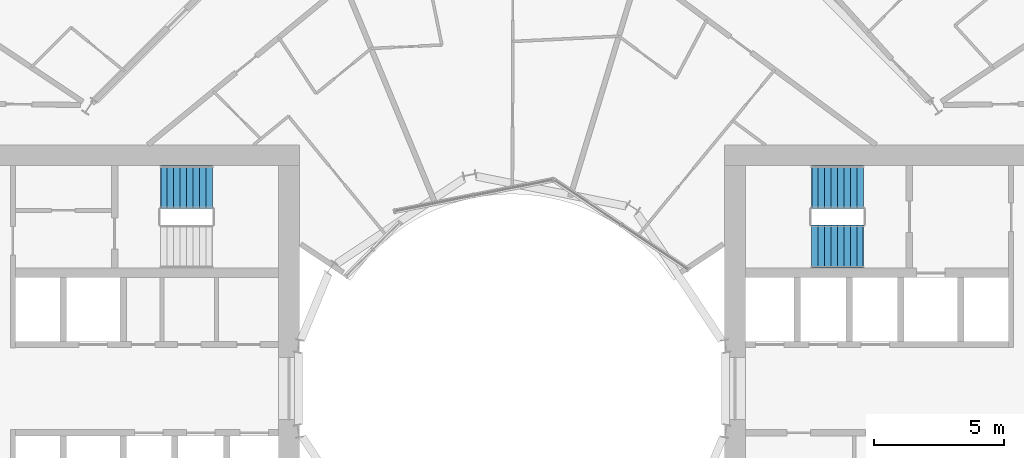
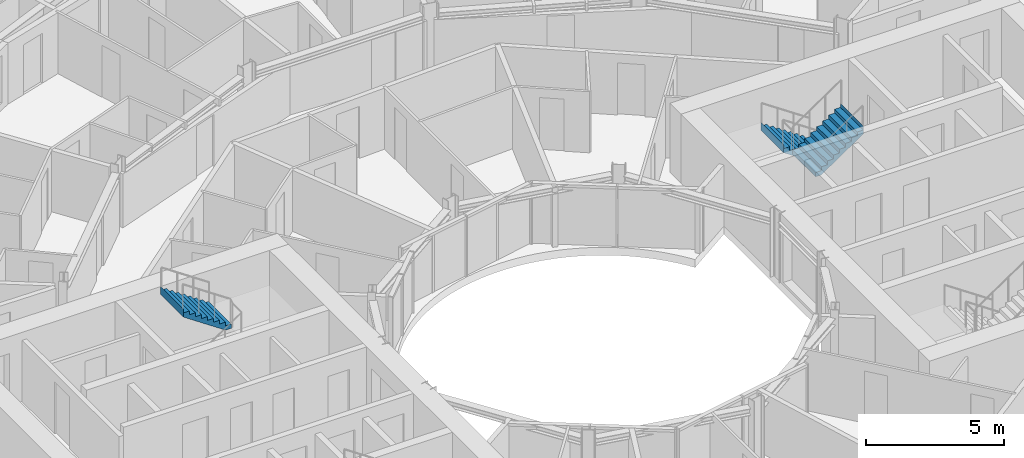
# One storey, part 24 of 26: 3 stair flights, 2 elements without a shape of their own.
"""IFC4 building model written with IfcOpenShell, lengths in metres."""

from ifc_helpers import new_model, si_unit, direction, frame, origin, place, context, subcontext, project, spatial, triangles, material, type_object, element, aggregate, save


model = new_model("IFC4")

# Units and contexts
model_context = context("Model", 3, precision=1e-05, world=origin(), true_north=direction((0.0, 1.0)))
body_context = subcontext(model_context, "Body", "Model", "MODEL_VIEW")
ifc_project = project(units=[si_unit("LENGTHUNIT", "METRE"), si_unit("AREAUNIT", "SQUARE_METRE"), si_unit("VOLUMEUNIT", "CUBIC_METRE"), si_unit("PLANEANGLEUNIT", "RADIAN"), si_unit("MASSUNIT", "GRAM", prefix="KILO")], contexts=[model_context])

# Site, building, storey
site_placement = place(None, origin())
site = spatial("IfcSite", under=ifc_project, at=site_placement, CompositionType="ELEMENT")
building_placement = place(site_placement, origin())
building = spatial("IfcBuilding", under=site, at=building_placement, Name="Maasbend Ring Residences", CompositionType="ELEMENT")
storey_placement = place(building_placement, frame((0.0, 0.0, 44.14990234375)))
storey = spatial("IfcBuildingStorey", under=building, at=storey_placement, Name="L12", CompositionType="ELEMENT", Elevation=44.14990234375)

# Stair, stair flights
ifc_material_1 = material(Name="Concrete C40/50", Category="concrete")
stair_type = type_object("IfcStairType", Name="CORE STAIR 18 RISERS", PredefinedType="HALF_TURN_STAIR", material=ifc_material_1)
stair_1_placement = place(storey_placement, origin())
stair_1 = element("IfcStair", 1, at=stair_1_placement, inside=storey, type_object=stair_type, Name="L12 Exit stair ST-E1", PredefinedType="HALF_TURN_STAIR")
ifc_material_2 = material(Name="Concrete C40/50", Category="concrete")
stair_flight_type = type_object("IfcStairFlightType", Name="CORE STAIR FLIGHT 1650", PredefinedType="STRAIGHT", material=ifc_material_2)
stair_flight_1_placement = place(storey_placement, frame((13.550048828125, 7.77490234375, 0.0), z_axis=(0.0, 0.0, 1.0), x_axis=(-1.0, 0.0, 0.0)))
stair_flight_1 = element("IfcStairFlight", 2, at=stair_flight_1_placement, type_object=stair_flight_type, Name="ST-E1 flight 1", NumberOfRisers=9, NumberOfTreads=8, PredefinedType="STRAIGHT", RiserHeight=0.169444444, TreadLength=0.25, context=body_context, shape_type="Tessellation", body=[
    triangles([(0.24072265625, 0.824951171875, -0.02001953125), (2.0029296875, 0.824951171875, 1.174560546875), (2.0029296875, 0.824951171875, 1.52490234375), (1.989990234375, 0.824951171875, 1.35546875), (1.75, 0.824951171875, 1.35546875), (1.75, 0.824951171875, 1.18603515625), (1.5, 0.824951171875, 1.18603515625), (1.5, 0.824951171875, 1.0166015625), (1.25, 0.824951171875, 1.0166015625), (1.25, 0.824951171875, 0.84716796875), (1.0, 0.824951171875, 0.84716796875), (1.0, 0.824951171875, 0.677734375), (0.75, 0.824951171875, 0.677734375), (0.75, 0.824951171875, 0.50830078125), (0.5, 0.824951171875, 0.50830078125), (0.5, 0.824951171875, 0.3388671875), (0.25, 0.824951171875, 0.3388671875), (0.25, 0.824951171875, 0.16943359375), (0.0, 0.824951171875, 0.16943359375), (0.0, 0.824951171875, 0.0), (-0.0029296875, 0.824951171875, 0.0), (-0.0029296875, 0.824951171875, -0.02001953125), (0.24072265625, 0.27490234375, -0.02001953125), (2.0029296875, 0.27490234375, 1.174560546875), (2.0029296875, 0.27490234375, 1.52490234375), (1.989990234375, 0.27490234375, 1.35546875), (1.75, 0.27490234375, 1.35546875), (1.75, 0.27490234375, 1.18603515625), (1.5, 0.27490234375, 1.18603515625), (1.5, 0.27490234375, 1.0166015625), (1.25, 0.27490234375, 1.0166015625), (1.25, 0.27490234375, 0.84716796875), (1.0, 0.27490234375, 0.84716796875), (1.0, 0.27490234375, 0.677734375), (0.75, 0.27490234375, 0.677734375), (0.75, 0.27490234375, 0.50830078125), (0.5, 0.27490234375, 0.50830078125), (0.5, 0.27490234375, 0.3388671875), (0.25, 0.27490234375, 0.3388671875), (0.25, 0.27490234375, 0.16943359375), (0.0, 0.27490234375, 0.16943359375), (0.0, 0.27490234375, 0.0), (-0.0029296875, 0.27490234375, 0.0), (-0.0029296875, 0.27490234375, -0.02001953125), (0.24072265625, -0.27490234375, -0.02001953125), (2.0029296875, -0.27490234375, 1.174560546875), (2.0029296875, -0.27490234375, 1.52490234375), (1.989990234375, -0.27490234375, 1.35546875), (1.75, -0.27490234375, 1.35546875), (1.75, -0.27490234375, 1.18603515625), (1.5, -0.27490234375, 1.18603515625), (1.5, -0.27490234375, 1.0166015625), (1.25, -0.27490234375, 1.0166015625), (1.25, -0.27490234375, 0.84716796875), (1.0, -0.27490234375, 0.84716796875), (1.0, -0.27490234375, 0.677734375), (0.75, -0.27490234375, 0.677734375), (0.75, -0.27490234375, 0.50830078125), (0.5, -0.27490234375, 0.50830078125), (0.5, -0.27490234375, 0.3388671875), (0.25, -0.27490234375, 0.3388671875), (0.25, -0.27490234375, 0.16943359375), (0.0, -0.27490234375, 0.16943359375), (0.0, -0.27490234375, 0.0), (-0.0029296875, -0.27490234375, 0.0), (-0.0029296875, -0.27490234375, -0.02001953125), (0.24072265625, -0.824951171875, -0.02001953125), (2.0029296875, -0.824951171875, 1.174560546875), (2.0029296875, -0.824951171875, 1.52490234375), (1.989990234375, -0.824951171875, 1.35546875), (1.75, -0.824951171875, 1.35546875), (1.75, -0.824951171875, 1.18603515625), (1.5, -0.824951171875, 1.18603515625), (1.5, -0.824951171875, 1.0166015625), (1.25, -0.824951171875, 1.0166015625), (1.25, -0.824951171875, 0.84716796875), (1.0, -0.824951171875, 0.84716796875), (1.0, -0.824951171875, 0.677734375), (0.75, -0.824951171875, 0.677734375), (0.75, -0.824951171875, 0.50830078125), (0.5, -0.824951171875, 0.50830078125), (0.5, -0.824951171875, 0.3388671875), (0.25, -0.824951171875, 0.3388671875), (0.25, -0.824951171875, 0.16943359375), (0.0, -0.824951171875, 0.16943359375), (0.0, -0.824951171875, 0.0), (-0.0029296875, -0.824951171875, 0.0), (-0.0029296875, -0.824951171875, -0.02001953125)], [[1, 2, 24], [1, 24, 23], [23, 24, 46], [23, 46, 45], [45, 46, 68], [45, 68, 67], [2, 3, 25], [2, 25, 24], [24, 25, 47], [24, 47, 46], [46, 47, 69], [46, 69, 68], [3, 4, 26], [3, 26, 25], [25, 26, 48], [25, 48, 47], [47, 48, 70], [47, 70, 69], [4, 5, 27], [4, 27, 26], [26, 27, 49], [26, 49, 48], [48, 49, 71], [48, 71, 70], [5, 6, 28], [5, 28, 27], [27, 28, 50], [27, 50, 49], [49, 50, 72], [49, 72, 71], [6, 7, 29], [6, 29, 28], [28, 29, 51], [28, 51, 50], [50, 51, 73], [50, 73, 72], [7, 8, 30], [7, 30, 29], [29, 30, 52], [29, 52, 51], [51, 52, 74], [51, 74, 73], [8, 9, 31], [8, 31, 30], [30, 31, 53], [30, 53, 52], [52, 53, 75], [52, 75, 74], [9, 10, 32], [9, 32, 31], [31, 32, 54], [31, 54, 53], [53, 54, 76], [53, 76, 75], [10, 11, 33], [10, 33, 32], [32, 33, 55], [32, 55, 54], [54, 55, 77], [54, 77, 76], [11, 12, 34], [11, 34, 33], [33, 34, 56], [33, 56, 55], [55, 56, 78], [55, 78, 77], [12, 13, 35], [12, 35, 34], [34, 35, 57], [34, 57, 56], [56, 57, 79], [56, 79, 78], [13, 14, 36], [13, 36, 35], [35, 36, 58], [35, 58, 57], [57, 58, 80], [57, 80, 79], [14, 15, 37], [14, 37, 36], [36, 37, 59], [36, 59, 58], [58, 59, 81], [58, 81, 80], [15, 16, 38], [15, 38, 37], [37, 38, 60], [37, 60, 59], [59, 60, 82], [59, 82, 81], [16, 17, 39], [16, 39, 38], [38, 39, 61], [38, 61, 60], [60, 61, 83], [60, 83, 82], [17, 18, 40], [17, 40, 39], [39, 40, 62], [39, 62, 61], [61, 62, 84], [61, 84, 83], [18, 19, 41], [18, 41, 40], [40, 41, 63], [40, 63, 62], [62, 63, 85], [62, 85, 84], [19, 20, 42], [19, 42, 41], [41, 42, 64], [41, 64, 63], [63, 64, 86], [63, 86, 85], [20, 21, 43], [20, 43, 42], [42, 43, 65], [42, 65, 64], [64, 65, 87], [64, 87, 86], [21, 22, 44], [21, 44, 43], [43, 44, 66], [43, 66, 65], [65, 66, 88], [65, 88, 87], [22, 1, 23], [22, 23, 44], [44, 23, 45], [44, 45, 66], [66, 45, 67], [66, 67, 88], [22, 2, 1], [2, 4, 3], [2, 5, 4], [2, 6, 5], [22, 6, 2], [6, 8, 7], [22, 8, 6], [8, 10, 9], [22, 10, 8], [10, 12, 11], [22, 12, 10], [12, 14, 13], [22, 14, 12], [14, 16, 15], [22, 16, 14], [16, 18, 17], [22, 18, 16], [18, 20, 19], [22, 20, 18], [20, 22, 21], [88, 67, 68], [68, 69, 70], [68, 70, 71], [68, 71, 72], [88, 68, 72], [72, 73, 74], [88, 72, 74], [74, 75, 76], [88, 74, 76], [76, 77, 78], [88, 76, 78], [78, 79, 80], [88, 78, 80], [80, 81, 82], [88, 80, 82], [82, 83, 84], [88, 82, 84], [84, 85, 86], [88, 84, 86], [86, 87, 88]], closed=True),
])
stair_flight_2_placement = place(storey_placement, frame((11.550048828125, 5.47509765625, 1.525146484375), z_axis=(0.0, 0.0, 1.0), x_axis=(1.0, 0.0, 0.0)))
stair_flight_2 = element("IfcStairFlight", 3, at=stair_flight_2_placement, type_object=stair_flight_type, Name="ST-E1 flight 2", NumberOfRisers=9, NumberOfTreads=8, PredefinedType="STRAIGHT", RiserHeight=0.169444444, TreadLength=0.25, context=body_context, shape_type="Tessellation", body=[
    triangles([(0.24072265625, 0.824951171875, -0.02001953125), (2.0029296875, 0.824951171875, 1.174560546875), (2.0029296875, 0.824951171875, 1.52490234375), (1.989990234375, 0.824951171875, 1.35546875), (1.75, 0.824951171875, 1.35546875), (1.75, 0.824951171875, 1.18603515625), (1.5, 0.824951171875, 1.18603515625), (1.5, 0.824951171875, 1.0166015625), (1.25, 0.824951171875, 1.0166015625), (1.25, 0.824951171875, 0.84716796875), (1.0, 0.824951171875, 0.84716796875), (1.0, 0.824951171875, 0.677734375), (0.75, 0.824951171875, 0.677734375), (0.75, 0.824951171875, 0.50830078125), (0.5, 0.824951171875, 0.50830078125), (0.5, 0.824951171875, 0.3388671875), (0.25, 0.824951171875, 0.3388671875), (0.25, 0.824951171875, 0.16943359375), (0.0, 0.824951171875, 0.16943359375), (0.0, 0.824951171875, 0.0), (-0.0029296875, 0.824951171875, 0.0), (-0.0029296875, 0.824951171875, -0.02001953125), (0.24072265625, 0.27490234375, -0.02001953125), (2.0029296875, 0.27490234375, 1.174560546875), (2.0029296875, 0.27490234375, 1.52490234375), (1.989990234375, 0.27490234375, 1.35546875), (1.75, 0.27490234375, 1.35546875), (1.75, 0.27490234375, 1.18603515625), (1.5, 0.27490234375, 1.18603515625), (1.5, 0.27490234375, 1.0166015625), (1.25, 0.27490234375, 1.0166015625), (1.25, 0.27490234375, 0.84716796875), (1.0, 0.27490234375, 0.84716796875), (1.0, 0.27490234375, 0.677734375), (0.75, 0.27490234375, 0.677734375), (0.75, 0.27490234375, 0.50830078125), (0.5, 0.27490234375, 0.50830078125), (0.5, 0.27490234375, 0.3388671875), (0.25, 0.27490234375, 0.3388671875), (0.25, 0.27490234375, 0.16943359375), (0.0, 0.27490234375, 0.16943359375), (0.0, 0.27490234375, 0.0), (-0.0029296875, 0.27490234375, 0.0), (-0.0029296875, 0.27490234375, -0.02001953125), (0.24072265625, -0.27490234375, -0.02001953125), (2.0029296875, -0.27490234375, 1.174560546875), (2.0029296875, -0.27490234375, 1.52490234375), (1.989990234375, -0.27490234375, 1.35546875), (1.75, -0.27490234375, 1.35546875), (1.75, -0.27490234375, 1.18603515625), (1.5, -0.27490234375, 1.18603515625), (1.5, -0.27490234375, 1.0166015625), (1.25, -0.27490234375, 1.0166015625), (1.25, -0.27490234375, 0.84716796875), (1.0, -0.27490234375, 0.84716796875), (1.0, -0.27490234375, 0.677734375), (0.75, -0.27490234375, 0.677734375), (0.75, -0.27490234375, 0.50830078125), (0.5, -0.27490234375, 0.50830078125), (0.5, -0.27490234375, 0.3388671875), (0.25, -0.27490234375, 0.3388671875), (0.25, -0.27490234375, 0.16943359375), (0.0, -0.27490234375, 0.16943359375), (0.0, -0.27490234375, 0.0), (-0.0029296875, -0.27490234375, 0.0), (-0.0029296875, -0.27490234375, -0.02001953125), (0.24072265625, -0.824951171875, -0.02001953125), (2.0029296875, -0.824951171875, 1.174560546875), (2.0029296875, -0.824951171875, 1.52490234375), (1.989990234375, -0.824951171875, 1.35546875), (1.75, -0.824951171875, 1.35546875), (1.75, -0.824951171875, 1.18603515625), (1.5, -0.824951171875, 1.18603515625), (1.5, -0.824951171875, 1.0166015625), (1.25, -0.824951171875, 1.0166015625), (1.25, -0.824951171875, 0.84716796875), (1.0, -0.824951171875, 0.84716796875), (1.0, -0.824951171875, 0.677734375), (0.75, -0.824951171875, 0.677734375), (0.75, -0.824951171875, 0.50830078125), (0.5, -0.824951171875, 0.50830078125), (0.5, -0.824951171875, 0.3388671875), (0.25, -0.824951171875, 0.3388671875), (0.25, -0.824951171875, 0.16943359375), (0.0, -0.824951171875, 0.16943359375), (0.0, -0.824951171875, 0.0), (-0.0029296875, -0.824951171875, 0.0), (-0.0029296875, -0.824951171875, -0.02001953125)], [[1, 2, 24], [1, 24, 23], [23, 24, 46], [23, 46, 45], [45, 46, 68], [45, 68, 67], [2, 3, 25], [2, 25, 24], [24, 25, 47], [24, 47, 46], [46, 47, 69], [46, 69, 68], [3, 4, 26], [3, 26, 25], [25, 26, 48], [25, 48, 47], [47, 48, 70], [47, 70, 69], [4, 5, 27], [4, 27, 26], [26, 27, 49], [26, 49, 48], [48, 49, 71], [48, 71, 70], [5, 6, 28], [5, 28, 27], [27, 28, 50], [27, 50, 49], [49, 50, 72], [49, 72, 71], [6, 7, 29], [6, 29, 28], [28, 29, 51], [28, 51, 50], [50, 51, 73], [50, 73, 72], [7, 8, 30], [7, 30, 29], [29, 30, 52], [29, 52, 51], [51, 52, 74], [51, 74, 73], [8, 9, 31], [8, 31, 30], [30, 31, 53], [30, 53, 52], [52, 53, 75], [52, 75, 74], [9, 10, 32], [9, 32, 31], [31, 32, 54], [31, 54, 53], [53, 54, 76], [53, 76, 75], [10, 11, 33], [10, 33, 32], [32, 33, 55], [32, 55, 54], [54, 55, 77], [54, 77, 76], [11, 12, 34], [11, 34, 33], [33, 34, 56], [33, 56, 55], [55, 56, 78], [55, 78, 77], [12, 13, 35], [12, 35, 34], [34, 35, 57], [34, 57, 56], [56, 57, 79], [56, 79, 78], [13, 14, 36], [13, 36, 35], [35, 36, 58], [35, 58, 57], [57, 58, 80], [57, 80, 79], [14, 15, 37], [14, 37, 36], [36, 37, 59], [36, 59, 58], [58, 59, 81], [58, 81, 80], [15, 16, 38], [15, 38, 37], [37, 38, 60], [37, 60, 59], [59, 60, 82], [59, 82, 81], [16, 17, 39], [16, 39, 38], [38, 39, 61], [38, 61, 60], [60, 61, 83], [60, 83, 82], [17, 18, 40], [17, 40, 39], [39, 40, 62], [39, 62, 61], [61, 62, 84], [61, 84, 83], [18, 19, 41], [18, 41, 40], [40, 41, 63], [40, 63, 62], [62, 63, 85], [62, 85, 84], [19, 20, 42], [19, 42, 41], [41, 42, 64], [41, 64, 63], [63, 64, 86], [63, 86, 85], [20, 21, 43], [20, 43, 42], [42, 43, 65], [42, 65, 64], [64, 65, 87], [64, 87, 86], [21, 22, 44], [21, 44, 43], [43, 44, 66], [43, 66, 65], [65, 66, 88], [65, 88, 87], [22, 1, 23], [22, 23, 44], [44, 23, 45], [44, 45, 66], [66, 45, 67], [66, 67, 88], [22, 2, 1], [2, 4, 3], [2, 5, 4], [2, 6, 5], [22, 6, 2], [6, 8, 7], [22, 8, 6], [8, 10, 9], [22, 10, 8], [10, 12, 11], [22, 12, 10], [12, 14, 13], [22, 14, 12], [14, 16, 15], [22, 16, 14], [16, 18, 17], [22, 18, 16], [18, 20, 19], [22, 20, 18], [20, 22, 21], [88, 67, 68], [68, 69, 70], [68, 70, 71], [68, 71, 72], [88, 68, 72], [72, 73, 74], [88, 72, 74], [74, 75, 76], [88, 74, 76], [76, 77, 78], [88, 76, 78], [78, 79, 80], [88, 78, 80], [80, 81, 82], [88, 80, 82], [82, 83, 84], [88, 82, 84], [84, 85, 86], [88, 84, 86], [86, 87, 88]], closed=True),
])
aggregate(stair_1, [stair_flight_1, stair_flight_2])

# Stair, stair flight
stair_2_placement = place(storey_placement, origin())
stair_2 = element("IfcStair", 4, at=stair_2_placement, inside=storey, type_object=stair_type, Name="L12 Exit stair ST-W2", PredefinedType="HALF_TURN_STAIR")
stair_flight_3_placement = place(storey_placement, frame((-11.550048828125, 7.77490234375, 1.525146484375), z_axis=(0.0, 0.0, 1.0), x_axis=(-1.0, 0.0, 0.0)))
stair_flight_3 = element("IfcStairFlight", 5, at=stair_flight_3_placement, type_object=stair_flight_type, Name="ST-W2 flight 2", NumberOfRisers=9, NumberOfTreads=8, PredefinedType="STRAIGHT", RiserHeight=0.169444444, TreadLength=0.25, context=body_context, shape_type="Tessellation", body=[
    triangles([(0.24072265625, 0.824951171875, -0.02001953125), (2.0029296875, 0.824951171875, 1.174560546875), (2.0029296875, 0.824951171875, 1.52490234375), (1.989990234375, 0.824951171875, 1.35546875), (1.75, 0.824951171875, 1.35546875), (1.75, 0.824951171875, 1.18603515625), (1.5, 0.824951171875, 1.18603515625), (1.5, 0.824951171875, 1.0166015625), (1.25, 0.824951171875, 1.0166015625), (1.25, 0.824951171875, 0.84716796875), (1.0, 0.824951171875, 0.84716796875), (1.0, 0.824951171875, 0.677734375), (0.75, 0.824951171875, 0.677734375), (0.75, 0.824951171875, 0.50830078125), (0.5, 0.824951171875, 0.50830078125), (0.5, 0.824951171875, 0.3388671875), (0.25, 0.824951171875, 0.3388671875), (0.25, 0.824951171875, 0.16943359375), (0.0, 0.824951171875, 0.16943359375), (0.0, 0.824951171875, 0.0), (-0.0029296875, 0.824951171875, 0.0), (-0.0029296875, 0.824951171875, -0.02001953125), (0.24072265625, 0.27490234375, -0.02001953125), (2.0029296875, 0.27490234375, 1.174560546875), (2.0029296875, 0.27490234375, 1.52490234375), (1.989990234375, 0.27490234375, 1.35546875), (1.75, 0.27490234375, 1.35546875), (1.75, 0.27490234375, 1.18603515625), (1.5, 0.27490234375, 1.18603515625), (1.5, 0.27490234375, 1.0166015625), (1.25, 0.27490234375, 1.0166015625), (1.25, 0.27490234375, 0.84716796875), (1.0, 0.27490234375, 0.84716796875), (1.0, 0.27490234375, 0.677734375), (0.75, 0.27490234375, 0.677734375), (0.75, 0.27490234375, 0.50830078125), (0.5, 0.27490234375, 0.50830078125), (0.5, 0.27490234375, 0.3388671875), (0.25, 0.27490234375, 0.3388671875), (0.25, 0.27490234375, 0.16943359375), (0.0, 0.27490234375, 0.16943359375), (0.0, 0.27490234375, 0.0), (-0.0029296875, 0.27490234375, 0.0), (-0.0029296875, 0.27490234375, -0.02001953125), (0.24072265625, -0.27490234375, -0.02001953125), (2.0029296875, -0.27490234375, 1.174560546875), (2.0029296875, -0.27490234375, 1.52490234375), (1.989990234375, -0.27490234375, 1.35546875), (1.75, -0.27490234375, 1.35546875), (1.75, -0.27490234375, 1.18603515625), (1.5, -0.27490234375, 1.18603515625), (1.5, -0.27490234375, 1.0166015625), (1.25, -0.27490234375, 1.0166015625), (1.25, -0.27490234375, 0.84716796875), (1.0, -0.27490234375, 0.84716796875), (1.0, -0.27490234375, 0.677734375), (0.75, -0.27490234375, 0.677734375), (0.75, -0.27490234375, 0.50830078125), (0.5, -0.27490234375, 0.50830078125), (0.5, -0.27490234375, 0.3388671875), (0.25, -0.27490234375, 0.3388671875), (0.25, -0.27490234375, 0.16943359375), (0.0, -0.27490234375, 0.16943359375), (0.0, -0.27490234375, 0.0), (-0.0029296875, -0.27490234375, 0.0), (-0.0029296875, -0.27490234375, -0.02001953125), (0.24072265625, -0.824951171875, -0.02001953125), (2.0029296875, -0.824951171875, 1.174560546875), (2.0029296875, -0.824951171875, 1.52490234375), (1.989990234375, -0.824951171875, 1.35546875), (1.75, -0.824951171875, 1.35546875), (1.75, -0.824951171875, 1.18603515625), (1.5, -0.824951171875, 1.18603515625), (1.5, -0.824951171875, 1.0166015625), (1.25, -0.824951171875, 1.0166015625), (1.25, -0.824951171875, 0.84716796875), (1.0, -0.824951171875, 0.84716796875), (1.0, -0.824951171875, 0.677734375), (0.75, -0.824951171875, 0.677734375), (0.75, -0.824951171875, 0.50830078125), (0.5, -0.824951171875, 0.50830078125), (0.5, -0.824951171875, 0.3388671875), (0.25, -0.824951171875, 0.3388671875), (0.25, -0.824951171875, 0.16943359375), (0.0, -0.824951171875, 0.16943359375), (0.0, -0.824951171875, 0.0), (-0.0029296875, -0.824951171875, 0.0), (-0.0029296875, -0.824951171875, -0.02001953125)], [[1, 2, 24], [1, 24, 23], [23, 24, 46], [23, 46, 45], [45, 46, 68], [45, 68, 67], [2, 3, 25], [2, 25, 24], [24, 25, 47], [24, 47, 46], [46, 47, 69], [46, 69, 68], [3, 4, 26], [3, 26, 25], [25, 26, 48], [25, 48, 47], [47, 48, 70], [47, 70, 69], [4, 5, 27], [4, 27, 26], [26, 27, 49], [26, 49, 48], [48, 49, 71], [48, 71, 70], [5, 6, 28], [5, 28, 27], [27, 28, 50], [27, 50, 49], [49, 50, 72], [49, 72, 71], [6, 7, 29], [6, 29, 28], [28, 29, 51], [28, 51, 50], [50, 51, 73], [50, 73, 72], [7, 8, 30], [7, 30, 29], [29, 30, 52], [29, 52, 51], [51, 52, 74], [51, 74, 73], [8, 9, 31], [8, 31, 30], [30, 31, 53], [30, 53, 52], [52, 53, 75], [52, 75, 74], [9, 10, 32], [9, 32, 31], [31, 32, 54], [31, 54, 53], [53, 54, 76], [53, 76, 75], [10, 11, 33], [10, 33, 32], [32, 33, 55], [32, 55, 54], [54, 55, 77], [54, 77, 76], [11, 12, 34], [11, 34, 33], [33, 34, 56], [33, 56, 55], [55, 56, 78], [55, 78, 77], [12, 13, 35], [12, 35, 34], [34, 35, 57], [34, 57, 56], [56, 57, 79], [56, 79, 78], [13, 14, 36], [13, 36, 35], [35, 36, 58], [35, 58, 57], [57, 58, 80], [57, 80, 79], [14, 15, 37], [14, 37, 36], [36, 37, 59], [36, 59, 58], [58, 59, 81], [58, 81, 80], [15, 16, 38], [15, 38, 37], [37, 38, 60], [37, 60, 59], [59, 60, 82], [59, 82, 81], [16, 17, 39], [16, 39, 38], [38, 39, 61], [38, 61, 60], [60, 61, 83], [60, 83, 82], [17, 18, 40], [17, 40, 39], [39, 40, 62], [39, 62, 61], [61, 62, 84], [61, 84, 83], [18, 19, 41], [18, 41, 40], [40, 41, 63], [40, 63, 62], [62, 63, 85], [62, 85, 84], [19, 20, 42], [19, 42, 41], [41, 42, 64], [41, 64, 63], [63, 64, 86], [63, 86, 85], [20, 21, 43], [20, 43, 42], [42, 43, 65], [42, 65, 64], [64, 65, 87], [64, 87, 86], [21, 22, 44], [21, 44, 43], [43, 44, 66], [43, 66, 65], [65, 66, 88], [65, 88, 87], [22, 1, 23], [22, 23, 44], [44, 23, 45], [44, 45, 66], [66, 45, 67], [66, 67, 88], [22, 2, 1], [2, 4, 3], [2, 5, 4], [2, 6, 5], [22, 6, 2], [6, 8, 7], [22, 8, 6], [8, 10, 9], [22, 10, 8], [10, 12, 11], [22, 12, 10], [12, 14, 13], [22, 14, 12], [14, 16, 15], [22, 16, 14], [16, 18, 17], [22, 18, 16], [18, 20, 19], [22, 20, 18], [20, 22, 21], [88, 67, 68], [68, 69, 70], [68, 70, 71], [68, 71, 72], [88, 68, 72], [72, 73, 74], [88, 72, 74], [74, 75, 76], [88, 74, 76], [76, 77, 78], [88, 76, 78], [78, 79, 80], [88, 78, 80], [80, 81, 82], [88, 80, 82], [82, 83, 84], [88, 82, 84], [84, 85, 86], [88, 84, 86], [86, 87, 88]], closed=True),
])
aggregate(stair_2, [stair_flight_3])

save(model, "model.ifc")
